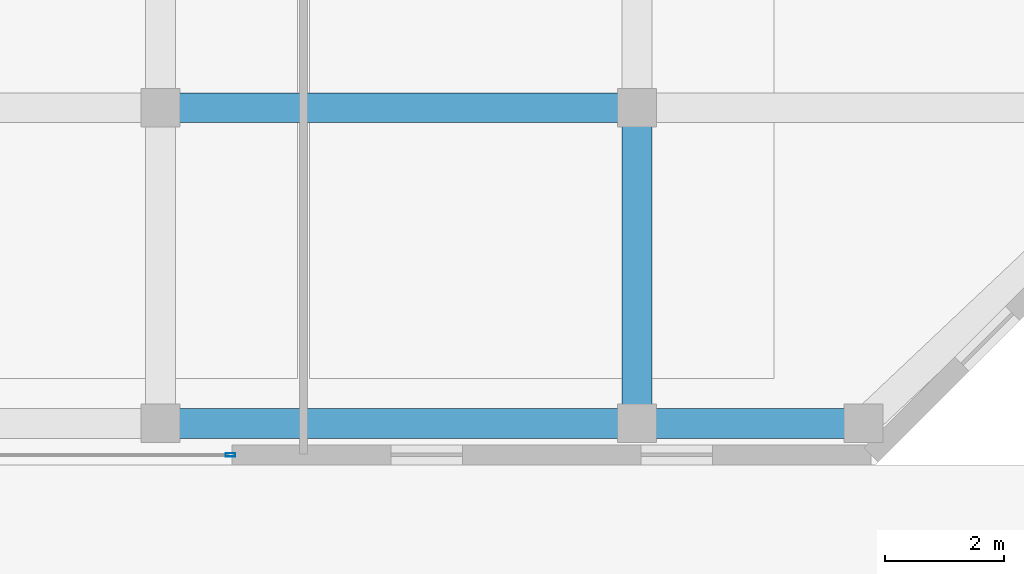
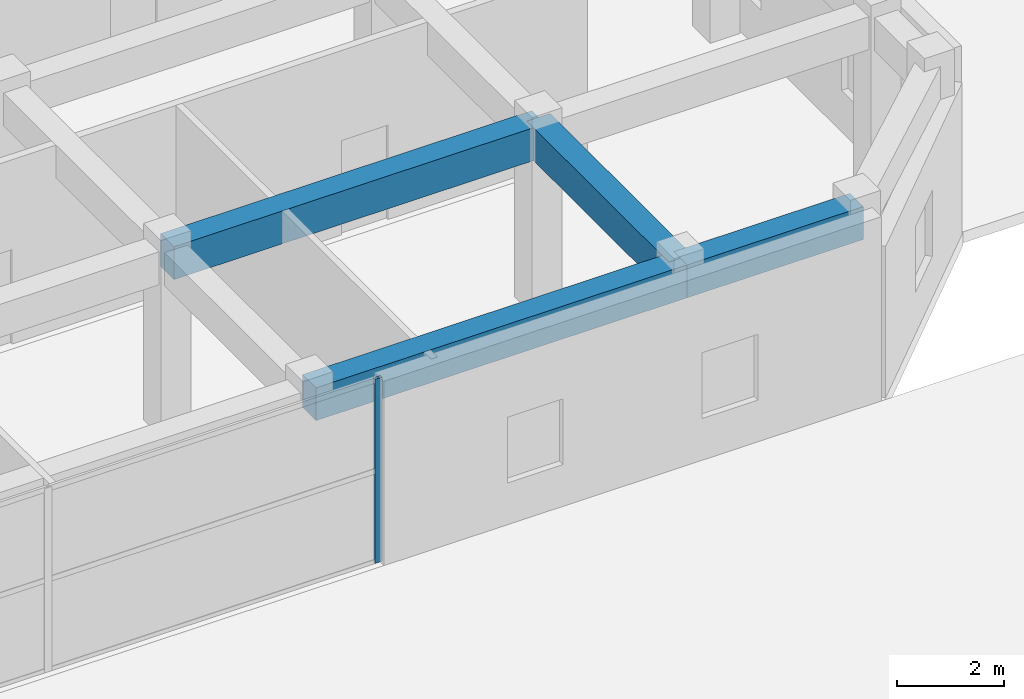
# One storey, part 14 of 39: 4 beams, 1 member, 1 element without a shape of its own.
"""IFC4 building model written with IfcOpenShell, lengths in metres."""

from ifc_helpers import new_model, si_unit, direction, frame, origin, origin_2d, place, context, subcontext, project, spatial, rectangle, hollow_rectangle, extrude, source, transform, mapped, material, layer, layer_set, material_profile, profile_set, type_object, element, aggregate, save


model = new_model("IFC4")

# Units and contexts
model_context = context("Model", 3, precision=1e-05, world=origin(), true_north=direction((0.0, 1.0)))
body_context = subcontext(model_context, "Body", "Model", "MODEL_VIEW")
ifc_project = project(units=[si_unit("LENGTHUNIT", "METRE"), si_unit("AREAUNIT", "SQUARE_METRE"), si_unit("VOLUMEUNIT", "CUBIC_METRE"), si_unit("PLANEANGLEUNIT", "RADIAN"), si_unit("MASSUNIT", "GRAM", prefix="KILO")], contexts=[model_context])

# Site, building, storey
site_placement = place(None, origin())
site = spatial("IfcSite", under=ifc_project, at=site_placement, CompositionType="ELEMENT")
building_placement = place(site_placement, origin())
building = spatial("IfcBuilding", under=site, at=building_placement, Name="Khoralis Quay Care Tower", CompositionType="ELEMENT")
storey_placement = place(building_placement, origin())
storey = spatial("IfcBuildingStorey", under=building, at=storey_placement, Name="L00", CompositionType="ELEMENT", Elevation=0.0)

# Beams
ifc_material_1 = material(Name="Concrete C40/50", Category="concrete")
ifc_material_profile_1 = material_profile(ifc_material_1, rectangle(XDim=0.5, YDim=0.75, at=origin_2d()), Name="Concrete C40/50")
ifc_profile_set_1 = profile_set([ifc_material_profile_1], Name="Concrete C40/50")
beam_type = type_object("IfcBeamType", Name="BM-RC500X750", PredefinedType="BEAM", material=ifc_profile_set_1)
shared_shape_1 = source(origin(), body_context, "Body", "SweptSolid", [
    extrude(rectangle(XDim=0.5, YDim=0.75, at=origin_2d()), origin(), (0.0, 0.0, 1.0), 8.0),
])
for number, where, z_axis, x_axis, name in (
    (1, (92.0, 6.699951171875, 3.824951171875), (1.0, 0.0, 0.0), (0.0, 1.0, 0.0), "BM-SCX-L00-04"),
    (2, (92.0, 12.0, 3.824951171875), (1.0, 0.0, 0.0), (0.0, 1.0, 0.0), "BM-SCX-L00-08"),
):
    element("IfcBeam", number, at=place(storey_placement, frame(where, z_axis=z_axis, x_axis=x_axis)), inside=storey, type_object=beam_type, Name=name, PredefinedType="BEAM", context=body_context, shape_type="MappedRepresentation", body=[
        mapped(shared_shape_1, transform((0.0, 0.0, 0.0), scale=1.0)),
    ])
shared_shape_2 = source(origin(), body_context, "Body", "SweptSolid", [
    extrude(rectangle(XDim=0.5, YDim=0.75, at=origin_2d()), origin(), (0.0, 0.0, 1.0), 5.300048828125),
])
beam_1_placement = place(storey_placement, frame((100.0, 6.699951171875, 3.824951171875), z_axis=(0.0, 1.0, 0.0), x_axis=(-1.0, 0.0, 0.0)))
element("IfcBeam", 3, at=beam_1_placement, inside=storey, type_object=beam_type, Name="BM-SCY-L00-57", PredefinedType="BEAM", context=body_context, shape_type="MappedRepresentation", body=[
    mapped(shared_shape_2, transform((0.0, 0.0, 0.0), scale=1.0)),
])
shared_shape_3 = source(origin(), body_context, "Body", "SweptSolid", [
    extrude(rectangle(XDim=0.5, YDim=0.75, at=origin_2d()), origin(), (0.0, 0.0, 1.0), 3.800048828125),
])
beam_2_placement = place(storey_placement, frame((100.0, 6.699951171875, 3.824951171875), z_axis=(1.0, 0.0, 0.0), x_axis=(0.0, 1.0, 0.0)))
element("IfcBeam", 4, at=beam_2_placement, inside=storey, type_object=beam_type, Name="BM-SCCH-L00-1", PredefinedType="BEAM", context=body_context, shape_type="MappedRepresentation", body=[
    mapped(shared_shape_3, transform((0.0, 0.0, 0.0), scale=1.0)),
])

# Curtain wall, member
ifc_material_2 = material(Name="Pale anodised aluminium", Category="aluminium")
ifc_layer = layer(ifc_material_2, 0.14990234375)
ifc_layer_set = layer_set([ifc_layer], Name="Pale anodised aluminium")
curtain_wall_type = type_object("IfcCurtainWallType", Name="CW-SYS-SCHOOL", PredefinedType="NOTDEFINED", material=ifc_layer_set)
curtain_wall_placement = place(storey_placement, origin())
curtain_wall = element("IfcCurtainWall", 5, at=curtain_wall_placement, inside=storey, type_object=curtain_wall_type, Name="L00 Unitised Curtain Wall CW-SCH-L00-E0", PredefinedType="NOTDEFINED")
ifc_material_profile_2 = material_profile(ifc_material_2, hollow_rectangle(XDim=0.06005859375, YDim=0.159912109375, WallThickness=0.00390625, at=origin_2d()), Name="Pale anodised aluminium")
ifc_profile_set_2 = profile_set([ifc_material_profile_2], Name="Pale anodised aluminium")
member_type = type_object("IfcMemberType", Name="CW-MUL-160", PredefinedType="MULLION", material=ifc_profile_set_2)
shared_shape_4 = source(origin(), body_context, "Body", "SweptSolid", [
    extrude(hollow_rectangle(XDim=0.06005859375, YDim=0.159912109375, WallThickness=0.00390625, at=origin_2d()), origin(), (0.0, 0.0, 1.0), 4.199951171875),
])
member_placement = place(storey_placement, frame((93.172119140625, 6.169921875, 0.0), z_axis=(0.0, 0.0, 1.0), x_axis=(0.0, 1.0, 0.0)))
member = element("IfcMember", 6, at=member_placement, type_object=member_type, Name="CW6 mullion 3", PredefinedType="MULLION", context=body_context, shape_type="MappedRepresentation", body=[
    mapped(shared_shape_4, transform((0.0, 0.0, 0.0), scale=1.0)),
])
aggregate(curtain_wall, [member])

save(model, "model.ifc")
